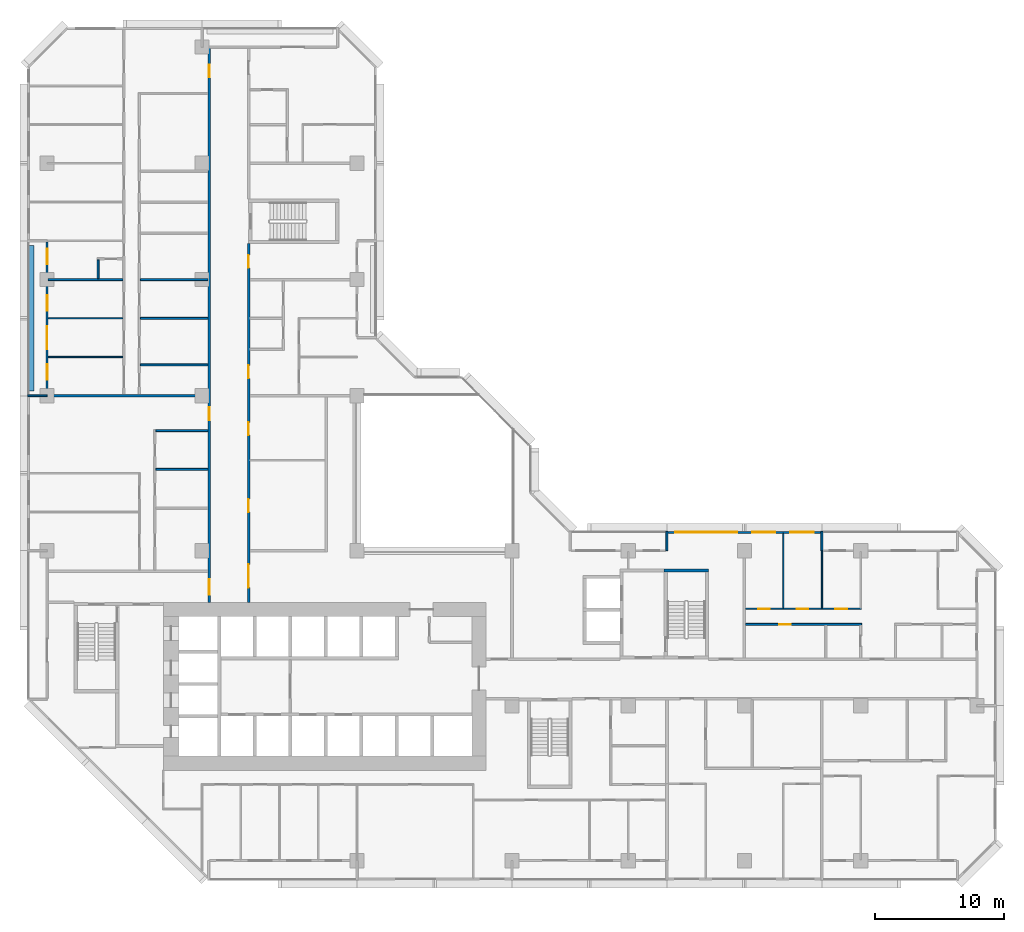
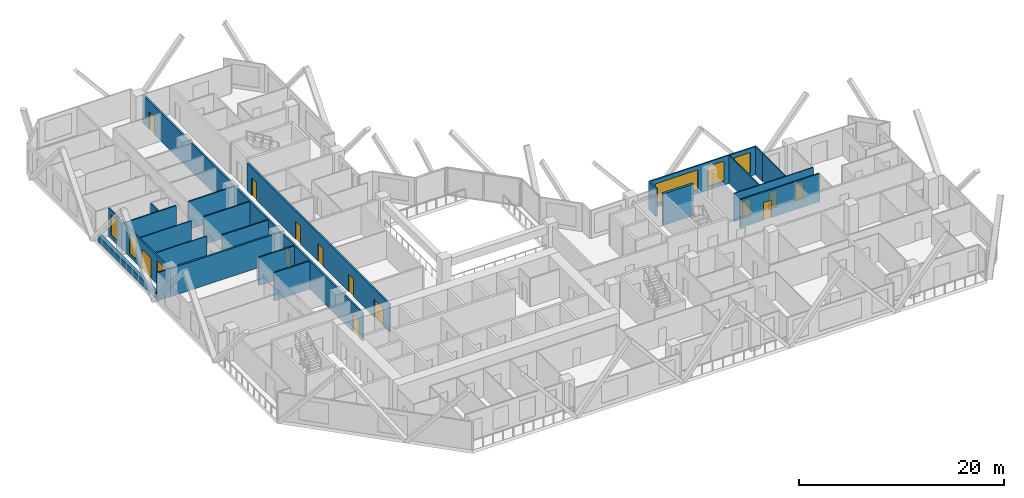
# One storey, part 8 of 15: 23 walls, 13 doors, 6 windows, 19 openings.
"""IFC4 building model written with IfcOpenShell, lengths in metres."""

from ifc_helpers import new_model, si_unit, direction, frame, frame_2d, origin, place, context, subcontext, project, spatial, rectangle, extrude, material, layer, layer_set, type_object, element, fill, save


model = new_model("IFC4")

# Units and contexts
model_context = context("Model", 3, precision=1e-05, world=origin(), true_north=direction((0.0, 1.0)))
body_context = subcontext(model_context, "Body", "Model", "MODEL_VIEW")
ifc_project = project(units=[si_unit("LENGTHUNIT", "METRE"), si_unit("AREAUNIT", "SQUARE_METRE"), si_unit("VOLUMEUNIT", "CUBIC_METRE"), si_unit("PLANEANGLEUNIT", "RADIAN"), si_unit("MASSUNIT", "GRAM", prefix="KILO")], contexts=[model_context])

# Site, building, storey
site_placement = place(None, origin())
site = spatial("IfcSite", under=ifc_project, at=site_placement, CompositionType="ELEMENT")
building_placement = place(site_placement, origin())
building = spatial("IfcBuilding", under=site, at=building_placement, Name="Chenar Terraces", CompositionType="ELEMENT")
storey_placement = place(building_placement, frame((0.0, 0.0, 56.39990234375)))
storey = spatial("IfcBuildingStorey", under=building, at=storey_placement, Name="L11", CompositionType="ELEMENT", Elevation=56.39990234375)

# Wall
ifc_material_1 = material(Name="Concrete C70/85", Category="concrete")
ifc_layer_1 = layer(ifc_material_1, 0.25)
ifc_layer_set_1 = layer_set([ifc_layer_1], Name="Concrete C70/85")
wall_type_1 = type_object("IfcWallType", Name="Core wall 250 Concrete C70/85", PredefinedType="SHEAR", material=ifc_layer_set_1)
wall_1_placement = place(storey_placement, frame((47.77490234375, 22.47509765625, 0.0), z_axis=(0.0, 0.0, 1.0), x_axis=(1.0, 0.0, 0.0)))
element("IfcWall", 1, at=wall_1_placement, inside=storey, type_object=wall_type_1, Name="Core wall ST3_N L11", PredefinedType="SHEAR", context=body_context, shape_type="SweptSolid", body=[
    extrude(rectangle(XDim=3.4501953125, YDim=0.25, at=frame_2d((1.72509765625, 0.0))), origin(), (0.0, 0.0, 1.0), 3.75),
])

# Wall, openings, doors
ifc_material_2 = material(Name="Gypsum board on steel studs with fire boards", Category="steel")
ifc_layer_2 = layer(ifc_material_2, 0.199951171875)
ifc_layer_set_2 = layer_set([ifc_layer_2], Name="Gypsum board on steel studs with fire boards")
wall_type_2 = type_object("IfcWallType", Name="Corridor wall 200", PredefinedType="PARTITIONING", material=ifc_layer_set_2)
wall_2_placement = place(storey_placement, frame((12.550048828125, 20.0, 0.0), z_axis=(0.0, 0.0, 1.0), x_axis=(0.0, 1.0, 0.0)))
wall_2 = element("IfcWall", 2, at=wall_2_placement, inside=storey, type_object=wall_type_2, Name="Partition L11-035", PredefinedType="PARTITIONING", context=body_context, shape_type="SweptSolid", body=[
    extrude(rectangle(XDim=42.926025390625, YDim=0.199951171875, at=frame_2d((21.462890625, 0.0))), origin(), (0.0, 0.0, 1.0), 3.35009765625),
])
opening_1_placement = place(wall_2_placement, frame((40.64990234375, 0.0, 0.0)))
opening_1 = element("IfcOpeningElement", 3, at=opening_1_placement, cuts=wall_2, Name="Opening DL11-38", PredefinedType="OPENING", context=body_context, shape_type="SweptSolid", body=[
    extrude(rectangle(XDim=1.0, YDim=2.10009765625, at=frame_2d((0.5, 1.050048828125))), frame((0.0, 0.10986328125, 0.0), z_axis=(0.0, -1.0, 0.0), x_axis=(1.0, 0.0, 0.0)), (0.0, 0.0, 1.0), 0.219970703125),
])
opening_2_placement = place(wall_2_placement, frame((0.60009765625, 0.0, 0.0)))
opening_2 = element("IfcOpeningElement", 4, at=opening_2_placement, cuts=wall_2, Name="Opening DL11-52", PredefinedType="OPENING", context=body_context, shape_type="SweptSolid", body=[
    extrude(rectangle(XDim=1.199951171875, YDim=2.10009765625, at=frame_2d((0.60009765625, 1.050048828125))), frame((0.0, 0.10986328125, 0.0), z_axis=(0.0, -1.0, 0.0), x_axis=(1.0, 0.0, 0.0)), (0.0, 0.0, 1.0), 0.219970703125),
])
opening_3_placement = place(wall_2_placement, frame((14.10009765625, 0.0, 0.0)))
opening_3 = element("IfcOpeningElement", 5, at=opening_3_placement, cuts=wall_2, Name="Opening DL11-73", PredefinedType="OPENING", context=body_context, shape_type="SweptSolid", body=[
    extrude(rectangle(XDim=1.0, YDim=2.10009765625, at=frame_2d((0.5, 1.050048828125))), frame((0.0, 0.10986328125, 0.0), z_axis=(0.0, -1.0, 0.0), x_axis=(1.0, 0.0, 0.0)), (0.0, 0.0, 1.0), 0.219970703125),
])
ifc_material_3 = material(Name="Steel-framed fire-resisting door leaf", Category="steel")
door_type_1 = type_object("IfcDoorType", Name="Fire door FD30S 1000 x 2100", OperationType="SINGLE_SWING_LEFT", PredefinedType="DOOR", material=ifc_material_3)
door_1_placement = place(opening_1_placement, origin())
door_1 = element("IfcDoor", 6, at=door_1_placement, inside=storey, type_object=door_type_1, Name="Door DL11-38", OperationType="SINGLE_SWING_RIGHT", OverallHeight=2.10009765625, OverallWidth=1.0, PredefinedType="DOOR", context=body_context, shape_type="SweptSolid", body=[
    extrude(rectangle(XDim=1.0, YDim=2.10009765625, at=frame_2d((0.5, 1.050048828125))), frame((0.0, 0.02490234375, 0.0), z_axis=(0.0, -1.0, 0.0), x_axis=(1.0, 0.0, 0.0)), (0.0, 0.0, 1.0), 0.050048828125),
])
fill(opening_1, door_1)
door_2_placement = place(opening_3_placement, origin())
door_2 = element("IfcDoor", 7, at=door_2_placement, inside=storey, type_object=door_type_1, Name="Door DL11-73", OperationType="SINGLE_SWING_RIGHT", OverallHeight=2.10009765625, OverallWidth=1.0, PredefinedType="DOOR", context=body_context, shape_type="SweptSolid", body=[
    extrude(rectangle(XDim=1.0, YDim=2.10009765625, at=frame_2d((0.5, 1.050048828125))), frame((0.0, 0.02490234375, 0.0), z_axis=(0.0, -1.0, 0.0), x_axis=(1.0, 0.0, 0.0)), (0.0, 0.0, 1.0), 0.050048828125),
])
fill(opening_3, door_2)
ifc_material_4 = material(Name="Steel-framed fire-resisting door leaf", Category="steel")
door_type_2 = type_object("IfcDoorType", Name="Fire door FD30S 1200 x 2100", OperationType="SINGLE_SWING_LEFT", PredefinedType="DOOR", material=ifc_material_4)
door_3_placement = place(opening_2_placement, origin())
door_3 = element("IfcDoor", 8, at=door_3_placement, inside=storey, type_object=door_type_2, Name="Door DL11-52", OperationType="SINGLE_SWING_RIGHT", OverallHeight=2.10009765625, OverallWidth=1.199951171875, PredefinedType="DOOR", context=body_context, shape_type="SweptSolid", body=[
    extrude(rectangle(XDim=1.199951171875, YDim=2.10009765625, at=frame_2d((0.60009765625, 1.050048828125))), frame((0.0, 0.02490234375, 0.0), z_axis=(0.0, -1.0, 0.0), x_axis=(1.0, 0.0, 0.0)), (0.0, 0.0, 1.0), 0.050048828125),
])
fill(opening_2, door_3)

wall_3_placement = place(storey_placement, frame((15.60009765625, 20.0, 0.0), z_axis=(0.0, 0.0, 1.0), x_axis=(0.0, 1.0, 0.0)))
wall_3 = element("IfcWall", 9, at=wall_3_placement, inside=storey, type_object=wall_type_2, Name="Partition L11-037", PredefinedType="PARTITIONING", context=body_context, shape_type="SweptSolid", body=[
    extrude(rectangle(XDim=27.77490234375, YDim=0.199951171875, at=frame_2d((13.887451171875, 0.0))), origin(), (0.0, 0.0, 1.0), 3.35009765625),
])
opening_4_placement = place(wall_3_placement, frame((7.0, 0.0, 0.0)))
opening_4 = element("IfcOpeningElement", 10, at=opening_4_placement, cuts=wall_3, Name="Opening DL11-1", PredefinedType="OPENING", context=body_context, shape_type="SweptSolid", body=[
    extrude(rectangle(XDim=1.0, YDim=2.10009765625, at=frame_2d((0.5, 1.050048828125))), frame((0.0, 0.10986328125, 0.0), z_axis=(0.0, -1.0, 0.0), x_axis=(1.0, 0.0, 0.0)), (0.0, 0.0, 1.0), 0.219970703125),
])
opening_5_placement = place(wall_3_placement, frame((12.949951171875, 0.0, 0.0)))
opening_5 = element("IfcOpeningElement", 11, at=opening_5_placement, cuts=wall_3, Name="Opening DL11-2", PredefinedType="OPENING", context=body_context, shape_type="SweptSolid", body=[
    extrude(rectangle(XDim=1.0, YDim=2.10009765625, at=frame_2d((0.5, 1.050048828125))), frame((0.0, 0.10986328125, 0.0), z_axis=(0.0, -1.0, 0.0), x_axis=(1.0, 0.0, 0.0)), (0.0, 0.0, 1.0), 0.219970703125),
])
opening_6_placement = place(wall_3_placement, frame((17.35009765625, 0.0, 0.0)))
opening_6 = element("IfcOpeningElement", 12, at=opening_6_placement, cuts=wall_3, Name="Opening DL11-27", PredefinedType="OPENING", context=body_context, shape_type="SweptSolid", body=[
    extrude(rectangle(XDim=1.0, YDim=2.10009765625, at=frame_2d((0.5, 1.050048828125))), frame((0.0, 0.10986328125, 0.0), z_axis=(0.0, -1.0, 0.0), x_axis=(1.0, 0.0, 0.0)), (0.0, 0.0, 1.0), 0.219970703125),
])
opening_7_placement = place(wall_3_placement, frame((1.14990234375, 0.0, 0.0)))
opening_7 = element("IfcOpeningElement", 13, at=opening_7_placement, cuts=wall_3, Name="Opening DL11-51", PredefinedType="OPENING", context=body_context, shape_type="SweptSolid", body=[
    extrude(rectangle(XDim=1.800048828125, YDim=2.10009765625, at=frame_2d((0.89990234375, 1.050048828125))), frame((0.0, 0.10986328125, 0.0), z_axis=(0.0, -1.0, 0.0), x_axis=(1.0, 0.0, 0.0)), (0.0, 0.0, 1.0), 0.219970703125),
])
opening_8_placement = place(wall_3_placement, frame((25.89990234375, 0.0, 0.0)))
opening_8 = element("IfcOpeningElement", 14, at=opening_8_placement, cuts=wall_3, Name="Opening DL11-54", PredefinedType="OPENING", context=body_context, shape_type="SweptSolid", body=[
    extrude(rectangle(XDim=1.0, YDim=2.10009765625, at=frame_2d((0.5, 1.050048828125))), frame((0.0, 0.10986328125, 0.0), z_axis=(0.0, -1.0, 0.0), x_axis=(1.0, 0.0, 0.0)), (0.0, 0.0, 1.0), 0.219970703125),
])
ifc_material_5 = material(Name="Steel-framed fire-resisting door leaf", Category="steel")
door_type_3 = type_object("IfcDoorType", Name="Fire door FD60 1000 x 2100", OperationType="SINGLE_SWING_LEFT", PredefinedType="DOOR", material=ifc_material_5)
door_4_placement = place(opening_4_placement, frame((1.0, 0.0, 0.0), z_axis=(0.0, 0.0, 1.0), x_axis=(-1.0, 0.0, 0.0)))
door_4 = element("IfcDoor", 15, at=door_4_placement, inside=storey, type_object=door_type_3, Name="Door DL11-1", OperationType="SINGLE_SWING_LEFT", OverallHeight=2.10009765625, OverallWidth=1.0, PredefinedType="DOOR", context=body_context, shape_type="SweptSolid", body=[
    extrude(rectangle(XDim=1.0, YDim=2.10009765625, at=frame_2d((0.5, 1.050048828125))), frame((0.0, 0.02490234375, 0.0), z_axis=(0.0, -1.0, 0.0), x_axis=(1.0, 0.0, 0.0)), (0.0, 0.0, 1.0), 0.050048828125),
])
fill(opening_4, door_4)
door_5_placement = place(opening_5_placement, frame((1.0, 0.0, 0.0), z_axis=(0.0, 0.0, 1.0), x_axis=(-1.0, 0.0, 0.0)))
door_5 = element("IfcDoor", 16, at=door_5_placement, inside=storey, type_object=door_type_3, Name="Door DL11-2", OperationType="SINGLE_SWING_LEFT", OverallHeight=2.10009765625, OverallWidth=1.0, PredefinedType="DOOR", context=body_context, shape_type="SweptSolid", body=[
    extrude(rectangle(XDim=1.0, YDim=2.10009765625, at=frame_2d((0.5, 1.050048828125))), frame((0.0, 0.02490234375, 0.0), z_axis=(0.0, -1.0, 0.0), x_axis=(1.0, 0.0, 0.0)), (0.0, 0.0, 1.0), 0.050048828125),
])
fill(opening_5, door_5)
door_6_placement = place(opening_6_placement, frame((1.0, 0.0, 0.0), z_axis=(0.0, 0.0, 1.0), x_axis=(-1.0, 0.0, 0.0)))
door_6 = element("IfcDoor", 17, at=door_6_placement, inside=storey, type_object=door_type_3, Name="Door DL11-27", OperationType="SINGLE_SWING_LEFT", OverallHeight=2.10009765625, OverallWidth=1.0, PredefinedType="DOOR", context=body_context, shape_type="SweptSolid", body=[
    extrude(rectangle(XDim=1.0, YDim=2.10009765625, at=frame_2d((0.5, 1.050048828125))), frame((0.0, 0.02490234375, 0.0), z_axis=(0.0, -1.0, 0.0), x_axis=(1.0, 0.0, 0.0)), (0.0, 0.0, 1.0), 0.050048828125),
])
fill(opening_6, door_6)
door_7_placement = place(opening_8_placement, frame((1.0, 0.0, 0.0), z_axis=(0.0, 0.0, 1.0), x_axis=(-1.0, 0.0, 0.0)))
door_7 = element("IfcDoor", 18, at=door_7_placement, inside=storey, type_object=door_type_3, Name="Door DL11-54", OperationType="SINGLE_SWING_RIGHT", OverallHeight=2.10009765625, OverallWidth=1.0, PredefinedType="DOOR", context=body_context, shape_type="SweptSolid", body=[
    extrude(rectangle(XDim=1.0, YDim=2.10009765625, at=frame_2d((0.5, 1.050048828125))), frame((0.0, 0.02490234375, 0.0), z_axis=(0.0, -1.0, 0.0), x_axis=(1.0, 0.0, 0.0)), (0.0, 0.0, 1.0), 0.050048828125),
])
fill(opening_8, door_7)
ifc_material_6 = material(Name="Steel-framed fire-resisting door leaf", Category="steel")
door_type_4 = type_object("IfcDoorType", Name="Fire double door FD60 1800 x 2100", OperationType="DOUBLE_DOOR_SINGLE_SWING", PredefinedType="DOOR", material=ifc_material_6)
door_8_placement = place(opening_7_placement, frame((1.800048828125, 0.0, 0.0), z_axis=(0.0, 0.0, 1.0), x_axis=(-1.0, 0.0, 0.0)))
door_8 = element("IfcDoor", 19, at=door_8_placement, inside=storey, type_object=door_type_4, Name="Door DL11-51", OperationType="DOUBLE_DOOR_SINGLE_SWING", OverallHeight=2.10009765625, OverallWidth=1.800048828125, PredefinedType="DOOR", context=body_context, shape_type="SweptSolid", body=[
    extrude(rectangle(XDim=1.800048828125, YDim=2.10009765625, at=frame_2d((0.89990234375, 1.050048828125))), frame((0.0, 0.02490234375, 0.0), z_axis=(0.0, -1.0, 0.0), x_axis=(1.0, 0.0, 0.0)), (0.0, 0.0, 1.0), 0.050048828125),
])
fill(opening_7, door_8)

# Wall, openings, windows
ifc_material_7 = material(Name="Aluminium framed glazing", Category="aluminium")
ifc_layer_3 = layer(ifc_material_7, 0.14990234375)
ifc_layer_set_3 = layer_set([ifc_layer_3], Name="Aluminium framed glazing")
wall_type_3 = type_object("IfcWallType", Name="Glazed flush facade wall 150", PredefinedType="SOLIDWALL", material=ifc_layer_set_3)
wall_4_placement = place(storey_placement, frame((59.925048828125, 25.425048828125, 0.0), z_axis=(0.0, 0.0, 1.0), x_axis=(-1.0, 0.0, 0.0)))
wall_4 = element("IfcWall", 20, at=wall_4_placement, inside=storey, type_object=wall_type_3, Name="Glazed flush facade wall", PredefinedType="SOLIDWALL", context=body_context, shape_type="SweptSolid", body=[
    extrude(rectangle(XDim=11.85009765625, YDim=0.14990234375, at=frame_2d((5.925048828125, 0.0))), origin(), (0.0, 0.0, 1.0), 3.35009765625),
])
opening_9_placement = place(wall_4_placement, frame((0.5625, 0.0, 0.449951171875)))
opening_9 = element("IfcOpeningElement", 21, at=opening_9_placement, cuts=wall_4, Name="Opening W180x240", PredefinedType="OPENING", context=body_context, shape_type="SweptSolid", body=[
    extrude(rectangle(XDim=1.800048828125, YDim=2.39990234375, at=frame_2d((0.89990234375, 1.199951171875))), frame((0.0, 0.0849609375, 0.0), z_axis=(0.0, -1.0, 0.0), x_axis=(1.0, 0.0, 0.0)), (0.0, 0.0, 1.0), 0.169921875),
])
opening_10_placement = place(wall_4_placement, frame((3.52490234375, 0.0, 0.449951171875)))
opening_10 = element("IfcOpeningElement", 22, at=opening_10_placement, cuts=wall_4, Name="Opening W180x240", PredefinedType="OPENING", context=body_context, shape_type="SweptSolid", body=[
    extrude(rectangle(XDim=1.800048828125, YDim=2.39990234375, at=frame_2d((0.89990234375, 1.199951171875))), frame((0.0, 0.0849609375, 0.0), z_axis=(0.0, -1.0, 0.0), x_axis=(1.0, 0.0, 0.0)), (0.0, 0.0, 1.0), 0.169921875),
])
opening_11_placement = place(wall_4_placement, frame((6.487548828125, 0.0, 0.449951171875)))
opening_11 = element("IfcOpeningElement", 23, at=opening_11_placement, cuts=wall_4, Name="Opening W480x240", PredefinedType="OPENING", context=body_context, shape_type="SweptSolid", body=[
    extrude(rectangle(XDim=4.800048828125, YDim=2.39990234375, at=frame_2d((2.39990234375, 1.199951171875))), frame((0.0, 0.0849609375, 0.0), z_axis=(0.0, -1.0, 0.0), x_axis=(1.0, 0.0, 0.0)), (0.0, 0.0, 1.0), 0.169921875),
])
ifc_material_8 = material(Name="Low emissivity double glazing, aluminium frame", Category="aluminium")
window_type_1 = type_object("IfcWindowType", Name="Fixed light 1800 x 2400", PartitioningType="SINGLE_PANEL", PredefinedType="WINDOW", material=ifc_material_8)
window_1_placement = place(opening_9_placement, origin())
window_1 = element("IfcWindow", 24, at=window_1_placement, inside=storey, type_object=window_type_1, Name="Window", OverallHeight=2.39990234375, OverallWidth=1.800048828125, PartitioningType="SINGLE_PANEL", PredefinedType="WINDOW", context=body_context, shape_type="SweptSolid", body=[
    extrude(rectangle(XDim=1.800048828125, YDim=2.39990234375, at=frame_2d((0.89990234375, 1.199951171875))), frame((0.0, 0.030029296875, 0.0), z_axis=(0.0, -1.0, 0.0), x_axis=(1.0, 0.0, 0.0)), (0.0, 0.0, 1.0), 0.06005859375),
])
fill(opening_9, window_1)
window_2_placement = place(opening_10_placement, origin())
window_2 = element("IfcWindow", 25, at=window_2_placement, inside=storey, type_object=window_type_1, Name="Window", OverallHeight=2.39990234375, OverallWidth=1.800048828125, PartitioningType="SINGLE_PANEL", PredefinedType="WINDOW", context=body_context, shape_type="SweptSolid", body=[
    extrude(rectangle(XDim=1.800048828125, YDim=2.39990234375, at=frame_2d((0.89990234375, 1.199951171875))), frame((0.0, 0.030029296875, 0.0), z_axis=(0.0, -1.0, 0.0), x_axis=(1.0, 0.0, 0.0)), (0.0, 0.0, 1.0), 0.06005859375),
])
fill(opening_10, window_2)
ifc_material_9 = material(Name="Low emissivity double glazing, aluminium frame", Category="aluminium")
window_type_2 = type_object("IfcWindowType", Name="Fixed light 4800 x 2400", PartitioningType="SINGLE_PANEL", PredefinedType="WINDOW", material=ifc_material_9)
window_3_placement = place(opening_11_placement, origin())
window_3 = element("IfcWindow", 26, at=window_3_placement, inside=storey, type_object=window_type_2, Name="Window", OverallHeight=2.39990234375, OverallWidth=4.800048828125, PartitioningType="SINGLE_PANEL", PredefinedType="WINDOW", context=body_context, shape_type="SweptSolid", body=[
    extrude(rectangle(XDim=4.800048828125, YDim=2.39990234375, at=frame_2d((2.39990234375, 1.199951171875))), frame((0.0, 0.030029296875, 0.0), z_axis=(0.0, -1.0, 0.0), x_axis=(1.0, 0.0, 0.0)), (0.0, 0.0, 1.0), 0.06005859375),
])
fill(opening_11, window_3)

# Wall, openings, windows, door
ifc_material_10 = material(Name="Aluminium framed glazing", Category="aluminium")
ifc_layer_4 = layer(ifc_material_10, 0.14990234375)
ifc_layer_set_4 = layer_set([ifc_layer_4], Name="Aluminium framed glazing")
wall_type_4 = type_object("IfcWallType", Name="Glazed loggia back wall 150", PredefinedType="SOLIDWALL", material=ifc_layer_set_4)
wall_5_placement = place(storey_placement, frame((0.0, 47.925048828125, 0.0), z_axis=(0.0, 0.0, 1.0), x_axis=(0.0, -1.0, 0.0)))
wall_5 = element("IfcWall", 27, at=wall_5_placement, inside=storey, type_object=wall_type_4, Name="Glazed loggia back wall", PredefinedType="SOLIDWALL", context=body_context, shape_type="SweptSolid", body=[
    extrude(rectangle(XDim=11.85009765625, YDim=0.14990234375, at=frame_2d((5.925048828125, 0.0))), origin(), (0.0, 0.0, 1.0), 3.35009765625),
])
opening_12_placement = place(wall_5_placement, frame((0.53759765625, 0.0, 0.449951171875)))
opening_12 = element("IfcOpeningElement", 28, at=opening_12_placement, cuts=wall_5, Name="Opening W120x240", PredefinedType="OPENING", context=body_context, shape_type="SweptSolid", body=[
    extrude(rectangle(XDim=1.199951171875, YDim=2.39990234375, at=frame_2d((0.60009765625, 1.199951171875))), frame((0.0, 0.0849609375, 0.0), z_axis=(0.0, -1.0, 0.0), x_axis=(1.0, 0.0, 0.0)), (0.0, 0.0, 1.0), 0.169921875),
])
opening_13_placement = place(wall_5_placement, frame((4.14990234375, 0.0, 0.449951171875)))
opening_13 = element("IfcOpeningElement", 29, at=opening_13_placement, cuts=wall_5, Name="Opening W120x240", PredefinedType="OPENING", context=body_context, shape_type="SweptSolid", body=[
    extrude(rectangle(XDim=1.199951171875, YDim=2.39990234375, at=frame_2d((0.60009765625, 1.199951171875))), frame((0.0, 0.0849609375, 0.0), z_axis=(0.0, -1.0, 0.0), x_axis=(1.0, 0.0, 0.0)), (0.0, 0.0, 1.0), 0.169921875),
])
opening_14_placement = place(wall_5_placement, frame((6.52490234375, 0.0, 0.0)))
opening_14 = element("IfcOpeningElement", 30, at=opening_14_placement, cuts=wall_5, Name="Opening DL11-G3", PredefinedType="OPENING", context=body_context, shape_type="SweptSolid", body=[
    extrude(rectangle(XDim=1.800048828125, YDim=2.39990234375, at=frame_2d((0.89990234375, 1.199951171875))), frame((0.0, 0.0849609375, 0.0), z_axis=(0.0, -1.0, 0.0), x_axis=(1.0, 0.0, 0.0)), (0.0, 0.0, 1.0), 0.169921875),
])
opening_15_placement = place(wall_5_placement, frame((9.5, 0.0, 0.449951171875)))
opening_15 = element("IfcOpeningElement", 31, at=opening_15_placement, cuts=wall_5, Name="Opening W120x240", PredefinedType="OPENING", context=body_context, shape_type="SweptSolid", body=[
    extrude(rectangle(XDim=1.199951171875, YDim=2.39990234375, at=frame_2d((0.60009765625, 1.199951171875))), frame((0.0, 0.0849609375, 0.0), z_axis=(0.0, -1.0, 0.0), x_axis=(1.0, 0.0, 0.0)), (0.0, 0.0, 1.0), 0.169921875),
])
ifc_material_11 = material(Name="Low emissivity double glazing, aluminium frame", Category="aluminium")
window_type_3 = type_object("IfcWindowType", Name="Fixed light 1200 x 2400", PartitioningType="SINGLE_PANEL", PredefinedType="WINDOW", material=ifc_material_11)
window_4_placement = place(opening_12_placement, origin())
window_4 = element("IfcWindow", 32, at=window_4_placement, inside=storey, type_object=window_type_3, Name="Window", OverallHeight=2.39990234375, OverallWidth=1.199951171875, PartitioningType="SINGLE_PANEL", PredefinedType="WINDOW", context=body_context, shape_type="SweptSolid", body=[
    extrude(rectangle(XDim=1.199951171875, YDim=2.39990234375, at=frame_2d((0.60009765625, 1.199951171875))), frame((0.0, 0.030029296875, 0.0), z_axis=(0.0, -1.0, 0.0), x_axis=(1.0, 0.0, 0.0)), (0.0, 0.0, 1.0), 0.06005859375),
])
fill(opening_12, window_4)
window_5_placement = place(opening_13_placement, origin())
window_5 = element("IfcWindow", 33, at=window_5_placement, inside=storey, type_object=window_type_3, Name="Window", OverallHeight=2.39990234375, OverallWidth=1.199951171875, PartitioningType="SINGLE_PANEL", PredefinedType="WINDOW", context=body_context, shape_type="SweptSolid", body=[
    extrude(rectangle(XDim=1.199951171875, YDim=2.39990234375, at=frame_2d((0.60009765625, 1.199951171875))), frame((0.0, 0.030029296875, 0.0), z_axis=(0.0, -1.0, 0.0), x_axis=(1.0, 0.0, 0.0)), (0.0, 0.0, 1.0), 0.06005859375),
])
fill(opening_13, window_5)
window_6_placement = place(opening_15_placement, origin())
window_6 = element("IfcWindow", 34, at=window_6_placement, inside=storey, type_object=window_type_3, Name="Window", OverallHeight=2.39990234375, OverallWidth=1.199951171875, PartitioningType="SINGLE_PANEL", PredefinedType="WINDOW", context=body_context, shape_type="SweptSolid", body=[
    extrude(rectangle(XDim=1.199951171875, YDim=2.39990234375, at=frame_2d((0.60009765625, 1.199951171875))), frame((0.0, 0.030029296875, 0.0), z_axis=(0.0, -1.0, 0.0), x_axis=(1.0, 0.0, 0.0)), (0.0, 0.0, 1.0), 0.06005859375),
])
fill(opening_15, window_6)
ifc_material_12 = material(Name="Low emissivity double glazing, aluminium frame", Category="aluminium")
door_type_5 = type_object("IfcDoorType", Name="Loggia glazed double door 1800 x 2400", OperationType="DOUBLE_DOOR_SINGLE_SWING", PredefinedType="DOOR", material=ifc_material_12)
door_9_placement = place(opening_14_placement, frame((1.800048828125, 0.0, 0.0), z_axis=(0.0, 0.0, 1.0), x_axis=(-1.0, 0.0, 0.0)))
door_9 = element("IfcDoor", 35, at=door_9_placement, inside=storey, type_object=door_type_5, Name="Loggia glazed door", OperationType="DOUBLE_DOOR_SINGLE_SWING", OverallHeight=2.39990234375, OverallWidth=1.800048828125, PredefinedType="DOOR", context=body_context, shape_type="SweptSolid", body=[
    extrude(rectangle(XDim=1.800048828125, YDim=2.39990234375, at=frame_2d((0.89990234375, 1.199951171875))), frame((0.0, 0.02490234375, 0.0), z_axis=(0.0, -1.0, 0.0), x_axis=(1.0, 0.0, 0.0)), (0.0, 0.0, 1.0), 0.050048828125),
])
fill(opening_14, door_9)

# Walls
ifc_material_13 = material(Name="Gypsum board on steel studs", Category="steel")
ifc_layer_5 = layer(ifc_material_13, 0.10009765625)
ifc_layer_set_5 = layer_set([ifc_layer_5], Name="Gypsum board on steel studs")
wall_type_5 = type_object("IfcWallType", Name="Gypsum partition 100", PredefinedType="PARTITIONING", material=ifc_layer_set_5)
for number, where, z_axis, x_axis, name in (
    (36, (0.073974609375, 39.0, 0.0), (0.0, 0.0, 1.0), (1.0, 0.0, 0.0), "Partition L11-011"),
    (37, (0.073974609375, 42.0, 0.0), (0.0, 0.0, 1.0), (1.0, 0.0, 0.0), "Partition L11-012"),
):
    element("IfcWall", number, at=place(storey_placement, frame(where, z_axis=z_axis, x_axis=x_axis)), inside=storey, type_object=wall_type_5, Name=name, PredefinedType="PARTITIONING", context=body_context, shape_type="SweptSolid", body=[
        extrude(rectangle(XDim=5.801025390625, YDim=0.10009765625, at=frame_2d((2.900390625, 0.0))), origin(), (0.0, 0.0, 1.0), 3.35009765625),
    ])

# Wall, openings, doors
wall_6_placement = place(storey_placement, frame((54.10009765625, 19.5, 0.0), z_axis=(0.0, 0.0, 1.0), x_axis=(1.0, 0.0, 0.0)))
wall_6 = element("IfcWall", 38, at=wall_6_placement, inside=storey, type_object=wall_type_5, Name="Partition L11-080", PredefinedType="PARTITIONING", context=body_context, shape_type="SweptSolid", body=[
    extrude(rectangle(XDim=8.949951171875, YDim=0.10009765625, at=frame_2d((4.47509765625, 0.0))), origin(), (0.0, 0.0, 1.0), 3.35009765625),
])
opening_16_placement = place(wall_6_placement, frame((0.949951171875, 0.0, 0.0)))
opening_16 = element("IfcOpeningElement", 39, at=opening_16_placement, cuts=wall_6, Name="Opening DL11-5", PredefinedType="OPENING", context=body_context, shape_type="SweptSolid", body=[
    extrude(rectangle(XDim=0.89990234375, YDim=2.10009765625, at=frame_2d((0.449951171875, 1.050048828125))), frame((0.0, 0.06005859375, 0.0), z_axis=(0.0, -1.0, 0.0), x_axis=(1.0, 0.0, 0.0)), (0.0, 0.0, 1.0), 0.1201171875),
])
opening_17_placement = place(wall_6_placement, frame((3.949951171875, 0.0, 0.0)))
opening_17 = element("IfcOpeningElement", 40, at=opening_17_placement, cuts=wall_6, Name="Opening DL11-6", PredefinedType="OPENING", context=body_context, shape_type="SweptSolid", body=[
    extrude(rectangle(XDim=0.89990234375, YDim=2.10009765625, at=frame_2d((0.449951171875, 1.050048828125))), frame((0.0, 0.06005859375, 0.0), z_axis=(0.0, -1.0, 0.0), x_axis=(1.0, 0.0, 0.0)), (0.0, 0.0, 1.0), 0.1201171875),
])
opening_18_placement = place(wall_6_placement, frame((6.949951171875, 0.0, 0.0)))
opening_18 = element("IfcOpeningElement", 41, at=opening_18_placement, cuts=wall_6, Name="Opening DL11-7", PredefinedType="OPENING", context=body_context, shape_type="SweptSolid", body=[
    extrude(rectangle(XDim=0.89990234375, YDim=2.10009765625, at=frame_2d((0.449951171875, 1.050048828125))), frame((0.0, 0.06005859375, 0.0), z_axis=(0.0, -1.0, 0.0), x_axis=(1.0, 0.0, 0.0)), (0.0, 0.0, 1.0), 0.1201171875),
])
ifc_material_14 = material(Name="Veneered timber door leaf", Category="wood")
door_type_6 = type_object("IfcDoorType", Name="Door 900 x 2100", OperationType="SINGLE_SWING_LEFT", PredefinedType="DOOR", material=ifc_material_14)
door_10_placement = place(opening_16_placement, origin())
door_10 = element("IfcDoor", 42, at=door_10_placement, inside=storey, type_object=door_type_6, Name="Door DL11-5", OperationType="SINGLE_SWING_RIGHT", OverallHeight=2.10009765625, OverallWidth=0.89990234375, PredefinedType="DOOR", context=body_context, shape_type="SweptSolid", body=[
    extrude(rectangle(XDim=0.89990234375, YDim=2.10009765625, at=frame_2d((0.449951171875, 1.050048828125))), frame((0.0, 0.02490234375, 0.0), z_axis=(0.0, -1.0, 0.0), x_axis=(1.0, 0.0, 0.0)), (0.0, 0.0, 1.0), 0.050048828125),
])
fill(opening_16, door_10)
door_11_placement = place(opening_17_placement, origin())
door_11 = element("IfcDoor", 43, at=door_11_placement, inside=storey, type_object=door_type_6, Name="Door DL11-6", OperationType="SINGLE_SWING_RIGHT", OverallHeight=2.10009765625, OverallWidth=0.89990234375, PredefinedType="DOOR", context=body_context, shape_type="SweptSolid", body=[
    extrude(rectangle(XDim=0.89990234375, YDim=2.10009765625, at=frame_2d((0.449951171875, 1.050048828125))), frame((0.0, 0.02490234375, 0.0), z_axis=(0.0, -1.0, 0.0), x_axis=(1.0, 0.0, 0.0)), (0.0, 0.0, 1.0), 0.050048828125),
])
fill(opening_17, door_11)
door_12_placement = place(opening_18_placement, origin())
door_12 = element("IfcDoor", 44, at=door_12_placement, inside=storey, type_object=door_type_6, Name="Door DL11-7", OperationType="SINGLE_SWING_RIGHT", OverallHeight=2.10009765625, OverallWidth=0.89990234375, PredefinedType="DOOR", context=body_context, shape_type="SweptSolid", body=[
    extrude(rectangle(XDim=0.89990234375, YDim=2.10009765625, at=frame_2d((0.449951171875, 1.050048828125))), frame((0.0, 0.02490234375, 0.0), z_axis=(0.0, -1.0, 0.0), x_axis=(1.0, 0.0, 0.0)), (0.0, 0.0, 1.0), 0.050048828125),
])
fill(opening_18, door_12)

# Walls
wall_7_placement = place(storey_placement, frame((57.0, 19.550048828125, 0.0), z_axis=(0.0, 0.0, 1.0), x_axis=(0.0, 1.0, 0.0)))
element("IfcWall", 45, at=wall_7_placement, inside=storey, type_object=wall_type_5, Name="Partition L11-083", PredefinedType="PARTITIONING", context=body_context, shape_type="SweptSolid", body=[
    extrude(rectangle(XDim=5.801025390625, YDim=0.10009765625, at=frame_2d((2.900390625, 0.0))), origin(), (0.0, 0.0, 1.0), 3.35009765625),
])
wall_8_placement = place(storey_placement, frame((60.0, 19.550048828125, 0.0), z_axis=(0.0, 0.0, 1.0), x_axis=(0.0, 1.0, 0.0)))
element("IfcWall", 46, at=wall_8_placement, inside=storey, type_object=wall_type_5, Name="Partition L11-086", PredefinedType="PARTITIONING", context=body_context, shape_type="SweptSolid", body=[
    extrude(rectangle(XDim=4.449951171875, YDim=0.10009765625, at=frame_2d((2.22509765625, 0.0))), origin(), (0.0, 0.0, 1.0), 3.35009765625),
])
ifc_material_15 = material(Name="Terracotta cladding on insulated backing", Category="masonry")
ifc_layer_6 = layer(ifc_material_15, 0.14990234375)
ifc_layer_set_6 = layer_set([ifc_layer_6], Name="Terracotta cladding on insulated backing")
wall_type_6 = type_object("IfcWallType", Name="Loggia return wall 150", PredefinedType="SOLIDWALL", material=ifc_layer_set_6)
for number, where, z_axis, x_axis, name in (
    (47, (60.0, 25.5, 0.0), (0.0, 0.0, 1.0), (0.0, -1.0, 0.0), "Loggia return wall"),
    (48, (48.0, 25.5, 0.0), (0.0, 0.0, 1.0), (0.0, -1.0, 0.0), "Loggia return wall"),
    (49, (-1.5, 36.0, 0.0), (0.0, 0.0, 1.0), (1.0, 0.0, 0.0), "Loggia return wall"),
):
    element("IfcWall", number, at=place(storey_placement, frame(where, z_axis=z_axis, x_axis=x_axis)), inside=storey, type_object=wall_type_6, Name=name, PredefinedType="SOLIDWALL", context=body_context, shape_type="SweptSolid", body=[
        extrude(rectangle(XDim=1.5, YDim=0.14990234375, at=frame_2d((0.75, 0.0))), origin(), (0.0, 0.0, 1.0), 3.35009765625),
    ])
ifc_material_16 = material(Name="Twin gypsum board on steel studs with mineral wool", Category="steel")
ifc_layer_7 = layer(ifc_material_16, 0.199951171875)
ifc_layer_set_7 = layer_set([ifc_layer_7], Name="Twin gypsum board on steel studs with mineral wool")
wall_type_7 = type_object("IfcWallType", Name="Unit demising wall 200", PredefinedType="PARTITIONING", material=ifc_layer_set_7)
wall_9_placement = place(storey_placement, frame((0.0, 36.0, 0.0), z_axis=(0.0, 0.0, 1.0), x_axis=(1.0, 0.0, 0.0)))
element("IfcWall", 50, at=wall_9_placement, inside=storey, type_object=wall_type_7, Name="Partition L11-005", PredefinedType="PARTITIONING", context=body_context, shape_type="SweptSolid", body=[
    extrude(rectangle(XDim=12.449951171875, YDim=0.199951171875, at=frame_2d((6.22509765625, 0.0))), origin(), (0.0, 0.0, 1.0), 3.35009765625),
])
ifc_material_17 = material(Name="GRP planter trough")
ifc_layer_8 = layer(ifc_material_17, 0.39990234375)
ifc_layer_set_8 = layer_set([ifc_layer_8], Name="GRP planter trough")
wall_type_8 = type_object("IfcWallType", Name="Vertical greenery planter 400", PredefinedType="SOLIDWALL", material=ifc_layer_set_8)
wall_10_placement = place(storey_placement, frame((-1.22900390625, 47.625, 0.0), z_axis=(0.0, 0.0, 1.0), x_axis=(0.0, -1.0, 0.0)))
element("IfcWall", 51, at=wall_10_placement, inside=storey, type_object=wall_type_8, Name="Vertical greenery planter", PredefinedType="SOLIDWALL", context=body_context, shape_type="SweptSolid", body=[
    extrude(rectangle(XDim=11.25, YDim=0.39990234375, at=frame_2d((5.625, 0.0))), origin(), (0.0, 0.0, 1.0), 0.7001953125),
])
ifc_material_18 = material(Name="Moisture-resistant gypsum board on steel studs", Category="steel")
ifc_layer_9 = layer(ifc_material_18, 0.14990234375)
ifc_layer_set_9 = layer_set([ifc_layer_9], Name="Moisture-resistant gypsum board on steel studs")
wall_type_9 = type_object("IfcWallType", Name="Wet-room partition 150", PredefinedType="PARTITIONING", material=ifc_layer_set_9)
wall_11_placement = place(storey_placement, frame((0.073974609375, 45.0, 0.0), z_axis=(0.0, 0.0, 1.0), x_axis=(1.0, 0.0, 0.0)))
element("IfcWall", 52, at=wall_11_placement, inside=storey, type_object=wall_type_9, Name="Partition L11-013", PredefinedType="PARTITIONING", context=body_context, shape_type="SweptSolid", body=[
    extrude(rectangle(XDim=5.801025390625, YDim=0.14990234375, at=frame_2d((2.900390625, 0.0))), origin(), (0.0, 0.0, 1.0), 3.35009765625),
])
wall_12_placement = place(storey_placement, frame((3.949951171875, 45.074951171875, 0.0), z_axis=(0.0, 0.0, 1.0), x_axis=(0.0, 1.0, 0.0)))
element("IfcWall", 53, at=wall_12_placement, inside=storey, type_object=wall_type_9, Name="Partition L11-016", PredefinedType="PARTITIONING", context=body_context, shape_type="SweptSolid", body=[
    extrude(rectangle(XDim=1.449951171875, YDim=0.14990234375, at=frame_2d((0.72509765625, 0.0))), origin(), (0.0, 0.0, 1.0), 3.35009765625),
])
for number, where, z_axis, x_axis, name in (
    (54, (7.22509765625, 38.39990234375, 0.0), (0.0, 0.0, 1.0), (1.0, 0.0, 0.0), "Partition L11-020"),
    (55, (7.22509765625, 42.0, 0.0), (0.0, 0.0, 1.0), (1.0, 0.0, 0.0), "Partition L11-021"),
    (56, (7.22509765625, 45.0, 0.0), (0.0, 0.0, 1.0), (1.0, 0.0, 0.0), "Partition L11-022"),
):
    element("IfcWall", number, at=place(storey_placement, frame(where, z_axis=z_axis, x_axis=x_axis)), inside=storey, type_object=wall_type_9, Name=name, PredefinedType="PARTITIONING", context=body_context, shape_type="SweptSolid", body=[
        extrude(rectangle(XDim=5.224853515625, YDim=0.14990234375, at=frame_2d((2.6123046875, 0.0))), origin(), (0.0, 0.0, 1.0), 3.35009765625),
    ])
for number, where, z_axis, x_axis, name in (
    (57, (8.425048828125, 30.300048828125, 0.0), (0.0, 0.0, 1.0), (1.0, 0.0, 0.0), "Partition L11-029"),
    (58, (8.425048828125, 33.300048828125, 0.0), (0.0, 0.0, 1.0), (1.0, 0.0, 0.0), "Partition L11-030"),
):
    element("IfcWall", number, at=place(storey_placement, frame(where, z_axis=z_axis, x_axis=x_axis)), inside=storey, type_object=wall_type_9, Name=name, PredefinedType="PARTITIONING", context=body_context, shape_type="SweptSolid", body=[
        extrude(rectangle(XDim=4.02490234375, YDim=0.14990234375, at=frame_2d((2.012451171875, 0.0))), origin(), (0.0, 0.0, 1.0), 3.35009765625),
    ])

# Wall, opening, door
wall_13_placement = place(storey_placement, frame((54.10009765625, 18.300048828125, 0.0), z_axis=(0.0, 0.0, 1.0), x_axis=(1.0, 0.0, 0.0)))
wall_13 = element("IfcWall", 59, at=wall_13_placement, inside=storey, type_object=wall_type_9, Name="Partition L11-079", PredefinedType="PARTITIONING", context=body_context, shape_type="SweptSolid", body=[
    extrude(rectangle(XDim=8.974853515625, YDim=0.14990234375, at=frame_2d((4.4873046875, 0.0))), origin(), (0.0, 0.0, 1.0), 3.35009765625),
])
opening_19_placement = place(wall_13_placement, frame((2.60009765625, 0.0, 0.0)))
opening_19 = element("IfcOpeningElement", 60, at=opening_19_placement, cuts=wall_13, Name="Opening DL11-8", PredefinedType="OPENING", context=body_context, shape_type="SweptSolid", body=[
    extrude(rectangle(XDim=0.89990234375, YDim=2.10009765625, at=frame_2d((0.449951171875, 1.050048828125))), frame((0.0, 0.0849609375, 0.0), z_axis=(0.0, -1.0, 0.0), x_axis=(1.0, 0.0, 0.0)), (0.0, 0.0, 1.0), 0.169921875),
])
door_13_placement = place(opening_19_placement, frame((0.89990234375, 0.0, 0.0), z_axis=(0.0, 0.0, 1.0), x_axis=(-1.0, 0.0, 0.0)))
door_13 = element("IfcDoor", 61, at=door_13_placement, inside=storey, type_object=door_type_6, Name="Door DL11-8", OperationType="SINGLE_SWING_LEFT", OverallHeight=2.10009765625, OverallWidth=0.89990234375, PredefinedType="DOOR", context=body_context, shape_type="SweptSolid", body=[
    extrude(rectangle(XDim=0.89990234375, YDim=2.10009765625, at=frame_2d((0.449951171875, 1.050048828125))), frame((0.0, 0.02490234375, 0.0), z_axis=(0.0, -1.0, 0.0), x_axis=(1.0, 0.0, 0.0)), (0.0, 0.0, 1.0), 0.050048828125),
])
fill(opening_19, door_13)

save(model, "model.ifc")
